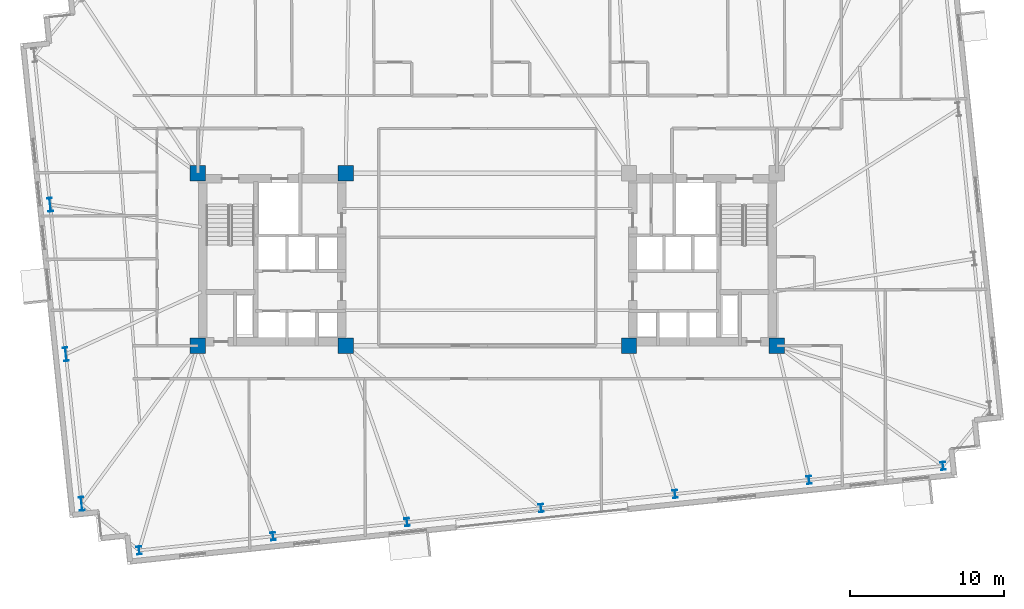
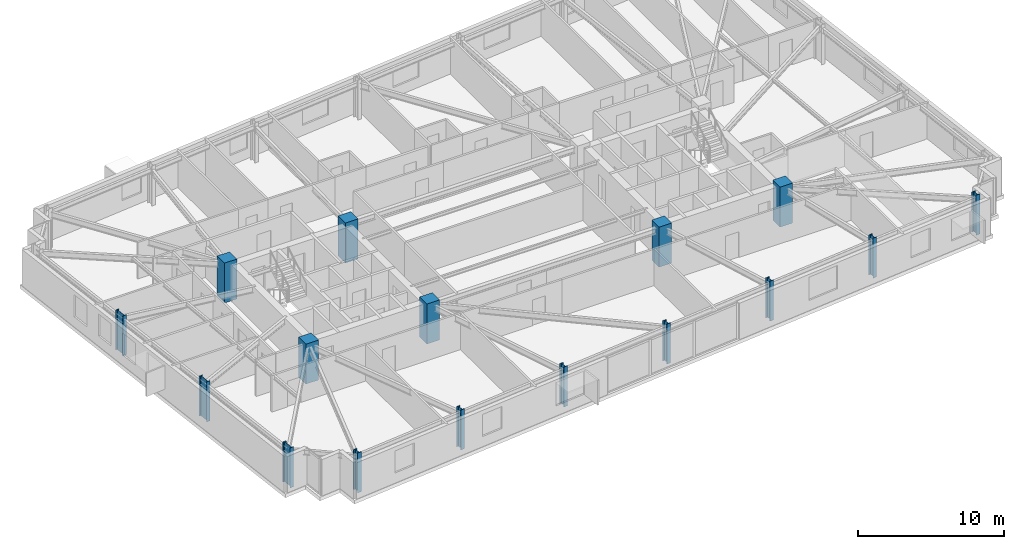
# One storey, part 1 of 23: 16 columns.
"""IFC4 building model written with IfcOpenShell, lengths in metres."""

from ifc_helpers import new_model, si_unit, direction, frame, origin, origin_2d, place, context, subcontext, project, spatial, rectangle, i_section, extrude, material, material_profile, profile_set, type_object, element, save


model = new_model("IFC4")

# Units and contexts
model_context = context("Model", 3, precision=1e-05, world=origin(), true_north=direction((0.0, 1.0)))
body_context = subcontext(model_context, "Body", "Model", "MODEL_VIEW")
ifc_project = project(units=[si_unit("LENGTHUNIT", "METRE"), si_unit("AREAUNIT", "SQUARE_METRE"), si_unit("VOLUMEUNIT", "CUBIC_METRE"), si_unit("PLANEANGLEUNIT", "RADIAN"), si_unit("MASSUNIT", "GRAM", prefix="KILO")], contexts=[model_context])

# Site, building, storey
site_placement = place(None, origin())
site = spatial("IfcSite", under=ifc_project, at=site_placement, CompositionType="ELEMENT")
building_placement = place(site_placement, origin())
building = spatial("IfcBuilding", under=site, at=building_placement, Name="Qobustan Lattice House", CompositionType="ELEMENT")
storey_placement = place(building_placement, frame((0.0, 0.0, 95.75)))
storey = spatial("IfcBuildingStorey", under=building, at=storey_placement, Name="L26", CompositionType="ELEMENT", Elevation=95.75)

# Columns
ifc_material_1 = material(Name="Concrete C60/75", Category="concrete")
ifc_material_profile_1 = material_profile(ifc_material_1, rectangle(XDim=1.0, YDim=1.0, at=origin_2d()), Name="RC1000x1000")
ifc_profile_set_1 = profile_set([ifc_material_profile_1], Name="Concrete C60/75")
column_type_1 = type_object("IfcColumnType", Name="COL-RC-1000", PredefinedType="COLUMN", material=ifc_profile_set_1)
for number, where, z_axis, x_axis, name in (
    (1, (-18.800048828125, -5.60009765625, 0.0), (0.0, 0.0, 1.0), (1.0, 0.0, 0.0), "L26 core mega-column CW-SW"),
    (2, (-18.800048828125, 5.60009765625, 0.0), (0.0, 0.0, 1.0), (1.0, 0.0, 0.0), "L26 core mega-column CW-NW"),
    (3, (-9.199951171875, -5.60009765625, 0.0), (0.0, 0.0, 1.0), (1.0, 0.0, 0.0), "L26 core mega-column CW-SE"),
    (4, (-9.199951171875, 5.60009765625, 0.0), (0.0, 0.0, 1.0), (1.0, 0.0, 0.0), "L26 core mega-column CW-NE"),
    (5, (9.199951171875, -5.60009765625, 0.0), (0.0, 0.0, 1.0), (1.0, 0.0, 0.0), "L26 core mega-column CE-SW"),
    (6, (18.800048828125, -5.60009765625, 0.0), (0.0, 0.0, 1.0), (1.0, 0.0, 0.0), "L26 core mega-column CE-SE"),
):
    element("IfcColumn", number, at=place(storey_placement, frame(where, z_axis=z_axis, x_axis=x_axis)), inside=storey, type_object=column_type_1, Name=name, PredefinedType="COLUMN", context=body_context, shape_type="SweptSolid", body=[
        extrude(rectangle(XDim=1.0, YDim=1.0, at=origin_2d()), origin(), (0.0, 0.0, 1.0), 3.35009765625),
    ])
ifc_material_2 = material(Name="Steel S355", Category="steel")
ifc_material_profile_2 = material_profile(ifc_material_2, i_section(OverallWidth=0.300048828125, OverallDepth=0.89990234375, WebThickness=0.0185546875, FlangeThickness=0.034912109375, FilletRadius=0.030029296875, at=origin_2d()), Name="HEB900")
ifc_profile_set_2 = profile_set([ifc_material_profile_2], Name="Steel S355")
column_type_2 = type_object("IfcColumnType", Name="COL-ST-HEB900", PredefinedType="COLUMN", material=ifc_profile_set_2)
for number, where, z_axis, x_axis, name in (
    (7, (-28.39794921875, 3.557373046875, 0.0), (0.0, 0.0, 1.0), (0.994521895368, 0.104528463268, 0.0), "L26 B2 perimeter column W2"),
    (8, (-27.377197265625, -6.156005859375, 0.0), (0.0, 0.0, 1.0), (0.994521895368, 0.104528463268, 0.0), "L26 B2 perimeter column W3"),
    (9, (-26.356201171875, -15.868896484375, 0.0), (0.0, 0.0, 1.0), (0.994521895368, 0.104528463268, 0.0), "L26 B2 perimeter column W4"),
):
    element("IfcColumn", number, at=place(storey_placement, frame(where, z_axis=z_axis, x_axis=x_axis)), inside=storey, type_object=column_type_2, Name=name, PredefinedType="COLUMN", context=body_context, shape_type="SweptSolid", body=[
        extrude(i_section(OverallWidth=0.300048828125, OverallDepth=0.89990234375, WebThickness=0.0185546875, FlangeThickness=0.034912109375, FilletRadius=0.030029296875, at=origin_2d()), origin(), (0.0, 0.0, 1.0), 3.35009765625),
    ])
ifc_material_3 = material(Name="Steel S355", Category="steel")
ifc_material_profile_3 = material_profile(ifc_material_3, i_section(OverallWidth=0.305908203125, OverallDepth=0.52392578125, WebThickness=0.02099609375, FlangeThickness=0.0400390625, FilletRadius=0.027099609375, at=origin_2d()), Name="HEM500")
ifc_profile_set_3 = profile_set([ifc_material_profile_3], Name="Steel S355")
column_type_3 = type_object("IfcColumnType", Name="COL-ST-HEM500", PredefinedType="COLUMN", material=ifc_profile_set_3)
for number, where, z_axis, x_axis, name in (
    (10, (-22.619384765625, -18.89501953125, 0.0), (0.0, 0.0, 1.0), (0.994521895368, 0.104528463268, 0.0), "L26 B2 perimeter column S1"),
    (11, (-13.91748046875, -17.98046875, 0.0), (0.0, 0.0, 1.0), (0.994521895368, 0.104528463268, 0.0), "L26 B2 perimeter column S2"),
    (12, (-5.21533203125, -17.065673828125, 0.0), (0.0, 0.0, 1.0), (0.994521895368, 0.104528463268, 0.0), "L26 B2 perimeter column S3"),
    (13, (3.48681640625, -16.151123046875, 0.0), (0.0, 0.0, 1.0), (0.994521895368, 0.104528463268, 0.0), "L26 B2 perimeter column S4"),
    (14, (12.188720703125, -15.236572265625, 0.0), (0.0, 0.0, 1.0), (0.994521895368, 0.104528463268, 0.0), "L26 B2 perimeter column S5"),
    (15, (20.890869140625, -14.322021484375, 0.0), (0.0, 0.0, 1.0), (0.994521895368, 0.104528463268, 0.0), "L26 B2 perimeter column S6"),
    (16, (29.593017578125, -13.4072265625, 0.0), (0.0, 0.0, 1.0), (0.994521895368, 0.104528463268, 0.0), "L26 B2 perimeter column S7"),
):
    element("IfcColumn", number, at=place(storey_placement, frame(where, z_axis=z_axis, x_axis=x_axis)), inside=storey, type_object=column_type_3, Name=name, PredefinedType="COLUMN", context=body_context, shape_type="SweptSolid", body=[
        extrude(i_section(OverallWidth=0.305908203125, OverallDepth=0.52392578125, WebThickness=0.02099609375, FlangeThickness=0.0400390625, FilletRadius=0.027099609375, at=origin_2d()), origin(), (0.0, 0.0, 1.0), 3.35009765625),
    ])

save(model, "model.ifc")
